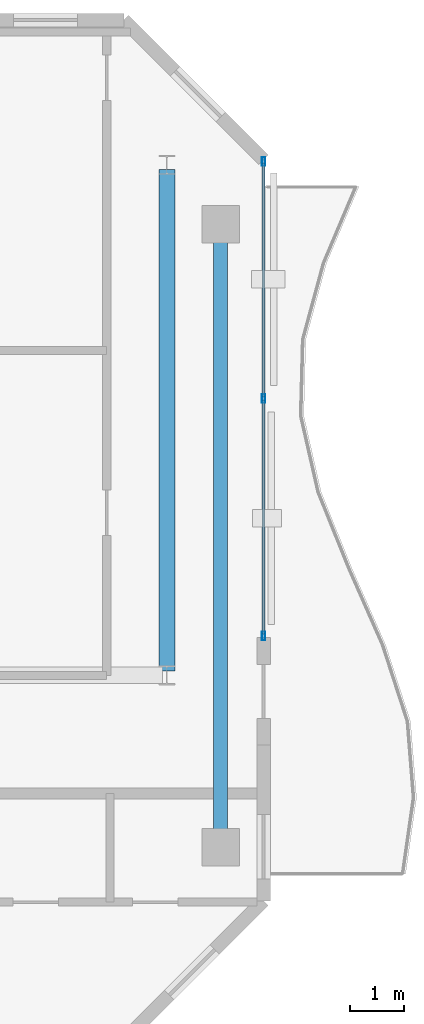
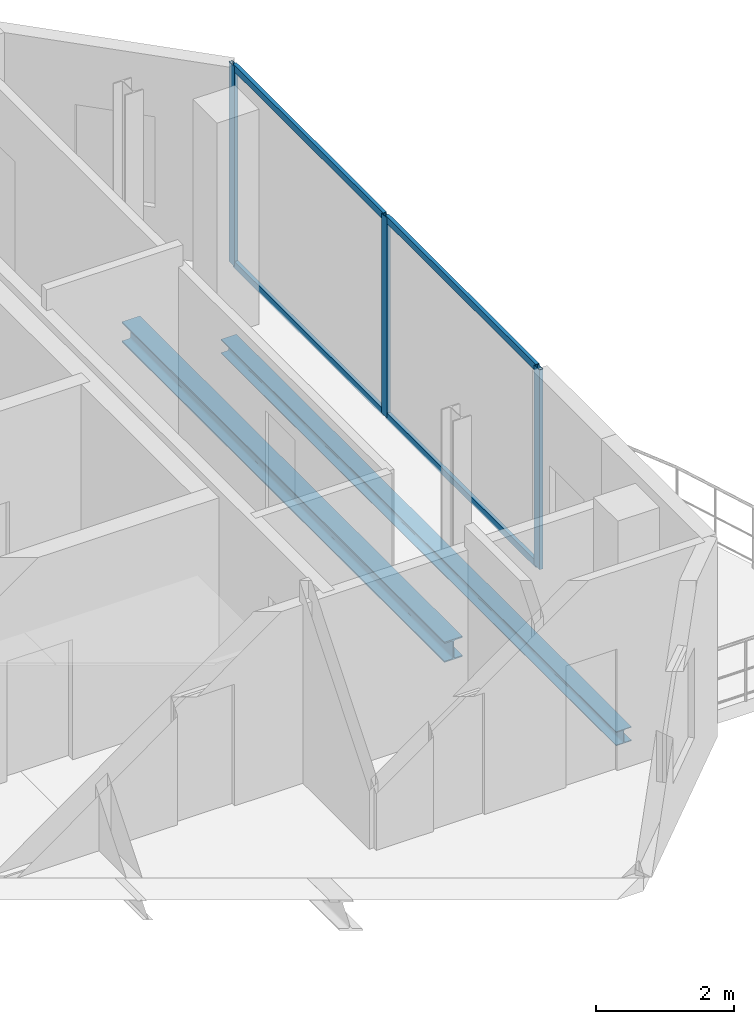
# One storey, part 10 of 16: 7 members, 2 beams, 1 element without a shape of its own.
"""IFC4 building model written with IfcOpenShell, lengths in metres."""

from ifc_helpers import new_model, si_unit, direction, frame, origin, origin_2d, place, context, subcontext, project, spatial, hollow_rectangle, i_section, extrude, material, layer, layer_set, material_profile, profile_set, type_object, element, aggregate, save


model = new_model("IFC4")

# Units and contexts
model_context = context("Model", 3, precision=1e-05, world=origin(), true_north=direction((0.0, 1.0)))
body_context = subcontext(model_context, "Body", "Model", "MODEL_VIEW")
ifc_project = project(units=[si_unit("LENGTHUNIT", "METRE"), si_unit("AREAUNIT", "SQUARE_METRE"), si_unit("VOLUMEUNIT", "CUBIC_METRE"), si_unit("PLANEANGLEUNIT", "RADIAN"), si_unit("MASSUNIT", "GRAM", prefix="KILO")], contexts=[model_context])

# Site, building, storey
site_placement = place(None, origin())
site = spatial("IfcSite", under=ifc_project, at=site_placement, CompositionType="ELEMENT")
building_placement = place(site_placement, origin())
building = spatial("IfcBuilding", under=site, at=building_placement, Name="Catumbela Crestline Tower", CompositionType="ELEMENT")
storey_placement = place(building_placement, frame((0.0, 0.0, 275.4)))
storey = spatial("IfcBuildingStorey", under=building, at=storey_placement, Name="L71", CompositionType="ELEMENT", Elevation=275.4)

# Beam
ifc_material_1 = material(Name="Structural steel S355J2", Category="steel")
ifc_material_profile_1 = material_profile(ifc_material_1, i_section(OverallWidth=0.3, OverallDepth=0.36, WebThickness=0.0125, FlangeThickness=0.0225, FilletRadius=0.027, at=origin_2d()), Name="HEB 360")
ifc_profile_set_1 = profile_set([ifc_material_profile_1], Name="Structural steel S355J2")
beam_type_1 = type_object("IfcBeamType", Name="BG-HEB360", PredefinedType="BEAM", material=ifc_profile_set_1)
beam_1_placement = place(storey_placement, frame((44.2, 30.88, -0.44), z_axis=(0.0, 1.0, 0.0), x_axis=(-1.0, 0.0, 0.0)))
element("IfcBeam", 1, at=beam_1_placement, inside=storey, type_object=beam_type_1, Name="L71 Beam BM-L71-SN10", PredefinedType="BEAM", context=body_context, shape_type="SweptSolid", body=[
    extrude(i_section(OverallWidth=0.3, OverallDepth=0.36, WebThickness=0.0125, FlangeThickness=0.0225, FilletRadius=0.027, at=origin_2d()), origin(), (0.0, 0.0, 1.0), 9.34),
])

# Curtain wall, members
ifc_material_2 = material(Name="Aluminium alloy AW-6060-T66", Category="aluminium")
ifc_layer = layer(ifc_material_2, 0.18, Name="Aluminium alloy AW-6060-T66")
ifc_layer_set = layer_set([ifc_layer], Name="Aluminium alloy AW-6060-T66")
curtain_wall_type = type_object("IfcCurtainWallType", Name="CWU-Z4", PredefinedType="USERDEFINED", material=ifc_layer_set)
curtain_wall_placement = place(storey_placement, origin())
curtain_wall = element("IfcCurtainWall", 2, at=curtain_wall_placement, inside=storey, type_object=curtain_wall_type, Name="L71 Unitised Curtain Wall CW-L71-E5S2", ObjectType="UNITISED", PredefinedType="USERDEFINED")
ifc_material_profile_2 = material_profile(ifc_material_2, hollow_rectangle(XDim=0.06, YDim=0.16, WallThickness=0.004, at=origin_2d()), Name="ALU 160x60x4")
ifc_profile_set_2 = profile_set([ifc_material_profile_2], Name="Aluminium alloy AW-6060-T66")
member_type_1 = type_object("IfcMemberType", Name="MUL-160X60", PredefinedType="MULLION", material=ifc_profile_set_2)
member_1_placement = place(storey_placement, frame((46.0, 31.5325, 0.0), z_axis=(0.0, 0.0, 1.0), x_axis=(-1.0, 0.0, 0.0)))
member_1 = element("IfcMember", 3, at=member_1_placement, type_object=member_type_1, Name="CWU-Z4 mullion 1", PredefinedType="MULLION", context=body_context, shape_type="SweptSolid", body=[
    extrude(hollow_rectangle(XDim=0.06, YDim=0.16, WallThickness=0.004, at=origin_2d()), origin(), (0.0, 0.0, 1.0), 3.53),
])
member_2_placement = place(storey_placement, frame((46.0, 35.95, 0.0), z_axis=(0.0, 0.0, 1.0), x_axis=(-1.0, 0.0, 0.0)))
member_2 = element("IfcMember", 4, at=member_2_placement, type_object=member_type_1, Name="CWU-Z4 mullion 2", PredefinedType="MULLION", context=body_context, shape_type="SweptSolid", body=[
    extrude(hollow_rectangle(XDim=0.06, YDim=0.16, WallThickness=0.004, at=origin_2d()), origin(), (0.0, 0.0, 1.0), 3.53),
])
member_3_placement = place(storey_placement, frame((46.0, 40.3675, 0.0), z_axis=(0.0, 0.0, 1.0), x_axis=(-1.0, 0.0, 0.0)))
member_3 = element("IfcMember", 5, at=member_3_placement, type_object=member_type_1, Name="CWU-Z4 mullion 3", PredefinedType="MULLION", context=body_context, shape_type="SweptSolid", body=[
    extrude(hollow_rectangle(XDim=0.06, YDim=0.16, WallThickness=0.004, at=origin_2d()), origin(), (0.0, 0.0, 1.0), 3.53),
])

# Beam
ifc_material_profile_3 = material_profile(ifc_material_1, i_section(OverallWidth=0.26, OverallDepth=0.25, WebThickness=0.0075, FlangeThickness=0.0125, FilletRadius=0.024, at=origin_2d()), Name="HEA 260")
ifc_profile_set_3 = profile_set([ifc_material_profile_3], Name="Structural steel S355J2")
beam_type_2 = type_object("IfcBeamType", Name="BS-HEA260", PredefinedType="SPANDREL", material=ifc_profile_set_3)
beam_2_placement = place(storey_placement, frame((45.2, 27.68, -0.385), z_axis=(0.0, 1.0, 0.0), x_axis=(-1.0, 0.0, 0.0)))
element("IfcBeam", 6, at=beam_2_placement, inside=storey, type_object=beam_type_2, Name="L71 Spandrel SP-L71-SN11", PredefinedType="SPANDREL", context=body_context, shape_type="SweptSolid", body=[
    extrude(i_section(OverallWidth=0.26, OverallDepth=0.25, WebThickness=0.0075, FlangeThickness=0.0125, FilletRadius=0.024, at=origin_2d()), origin(), (0.0, 0.0, 1.0), 11.44),
])

# Member
ifc_material_profile_4 = material_profile(ifc_material_2, hollow_rectangle(XDim=0.06, YDim=0.12, WallThickness=0.0035, at=origin_2d()), Name="ALU 120x60x3.5")
ifc_profile_set_4 = profile_set([ifc_material_profile_4], Name="Aluminium alloy AW-6060-T66")
member_type_2 = type_object("IfcMemberType", Name="TRN-120X60", PredefinedType="USERDEFINED", material=ifc_profile_set_4)
member_4_placement = place(storey_placement, frame((46.0, 31.565, 0.03), z_axis=(0.0, 1.0, 0.0), x_axis=(-1.0, 0.0, 0.0)))
member_4 = element("IfcMember", 7, at=member_4_placement, type_object=member_type_2, Name="CWU-Z4 transom 1.1", ObjectType="TRANSOM", PredefinedType="USERDEFINED", context=body_context, shape_type="SweptSolid", body=[
    extrude(hollow_rectangle(XDim=0.06, YDim=0.12, WallThickness=0.0035, at=origin_2d()), origin(), (0.0, 0.0, 1.0), 4.3525),
])

member_5_placement = place(storey_placement, frame((46.0, 31.565, 3.5), z_axis=(0.0, 1.0, 0.0), x_axis=(-1.0, 0.0, 0.0)))
member_5 = element("IfcMember", 8, at=member_5_placement, type_object=member_type_2, Name="CWU-Z4 transom 1.2", ObjectType="TRANSOM", PredefinedType="USERDEFINED", context=body_context, shape_type="SweptSolid", body=[
    extrude(hollow_rectangle(XDim=0.06, YDim=0.12, WallThickness=0.0035, at=origin_2d()), origin(), (0.0, 0.0, 1.0), 4.3525),
])

member_6_placement = place(storey_placement, frame((46.0, 35.9825, 0.03), z_axis=(0.0, 1.0, 0.0), x_axis=(-1.0, 0.0, 0.0)))
member_6 = element("IfcMember", 9, at=member_6_placement, type_object=member_type_2, Name="CWU-Z4 transom 2.1", ObjectType="TRANSOM", PredefinedType="USERDEFINED", context=body_context, shape_type="SweptSolid", body=[
    extrude(hollow_rectangle(XDim=0.06, YDim=0.12, WallThickness=0.0035, at=origin_2d()), origin(), (0.0, 0.0, 1.0), 4.3525),
])

member_7_placement = place(storey_placement, frame((46.0, 35.9825, 3.5), z_axis=(0.0, 1.0, 0.0), x_axis=(-1.0, 0.0, 0.0)))
member_7 = element("IfcMember", 10, at=member_7_placement, type_object=member_type_2, Name="CWU-Z4 transom 2.2", ObjectType="TRANSOM", PredefinedType="USERDEFINED", context=body_context, shape_type="SweptSolid", body=[
    extrude(hollow_rectangle(XDim=0.06, YDim=0.12, WallThickness=0.0035, at=origin_2d()), origin(), (0.0, 0.0, 1.0), 4.3525),
])

aggregate(curtain_wall, [member_1, member_2, member_3, member_4, member_5, member_6, member_7])

save(model, "model.ifc")
